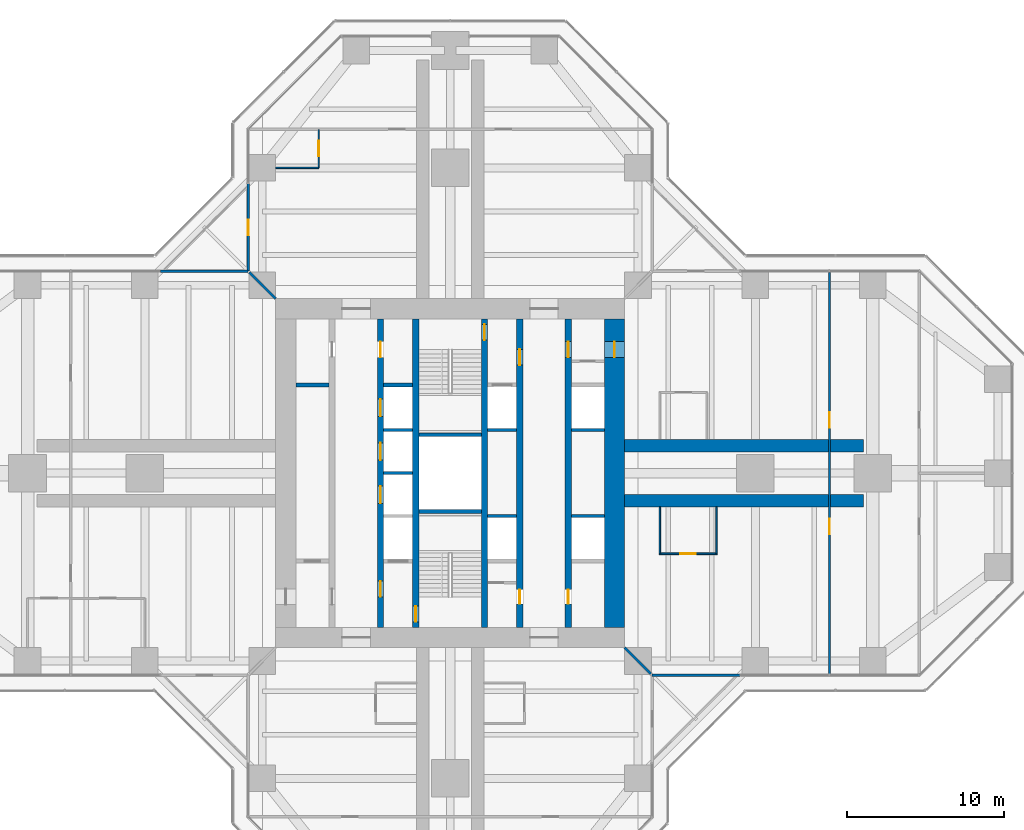
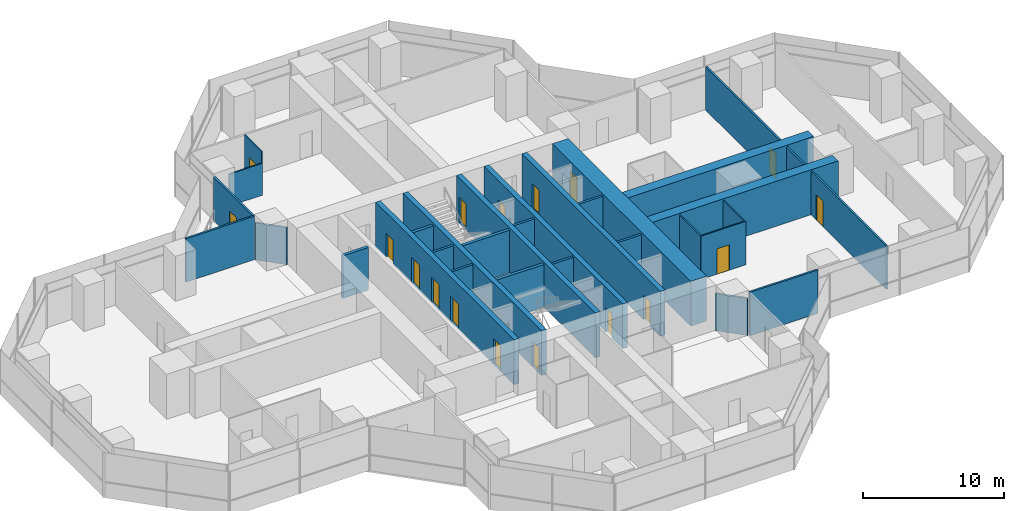
# One storey, part 16 of 19: 29 walls, 17 doors, 17 openings.
"""IFC4 building model written with IfcOpenShell, lengths in metres."""

from ifc_helpers import new_model, si_unit, direction, frame, frame_2d, origin, place, context, subcontext, project, spatial, rectangle, extrude, material, layer, layer_set, type_object, element, fill, save


model = new_model("IFC4")

# Units and contexts
model_context = context("Model", 3, precision=1e-05, world=origin(), true_north=direction((0.0, 1.0)))
body_context = subcontext(model_context, "Body", "Model", "MODEL_VIEW")
ifc_project = project(units=[si_unit("LENGTHUNIT", "METRE"), si_unit("AREAUNIT", "SQUARE_METRE"), si_unit("VOLUMEUNIT", "CUBIC_METRE"), si_unit("PLANEANGLEUNIT", "RADIAN"), si_unit("MASSUNIT", "GRAM", prefix="KILO")], contexts=[model_context])

# Site, building, storey
site_placement = place(None, origin())
site = spatial("IfcSite", under=ifc_project, at=site_placement, CompositionType="ELEMENT")
building_placement = place(site_placement, origin())
building = spatial("IfcBuilding", under=site, at=building_placement, Name="Mizan Broadcast Tower", CompositionType="ELEMENT")
storey_placement = place(building_placement, frame((0.0, 0.0, 182.699951171875)))
storey = spatial("IfcBuildingStorey", under=building, at=storey_placement, Name="L42", CompositionType="ELEMENT", Elevation=182.699951171875)

# Wall, openings, doors
ifc_material_1 = material(Name="Concrete C70/85", Category="concrete")
ifc_layer_1 = layer(ifc_material_1, 0.39990234375)
ifc_layer_set_1 = layer_set([ifc_layer_1], Name="Concrete C70/85")
wall_type_1 = type_object("IfcWallType", Name="CORE INTERNAL WALL 400", PredefinedType="SHEAR", material=ifc_layer_set_1)
wall_1_placement = place(storey_placement, frame((7.550048828125, 9.85009765625, 0.0), z_axis=(0.0, 0.0, 1.0), x_axis=(0.0, -1.0, 0.0)))
wall_1 = element("IfcWall", 1, at=wall_1_placement, inside=storey, type_object=wall_type_1, Name="Core wall CORE/XW1E", PredefinedType="SHEAR", context=body_context, shape_type="SweptSolid", body=[
    extrude(rectangle(XDim=19.7001953125, YDim=0.39990234375, at=frame_2d((9.85009765625, 0.0))), origin(), (0.0, 0.0, 1.0), 3.900146484375),
])
opening_1_placement = place(wall_1_placement, frame((1.449951171875, 0.0, 0.0)))
opening_1 = element("IfcOpeningElement", 2, at=opening_1_placement, cuts=wall_1, Name="Opening D10F", PredefinedType="OPENING", context=body_context, shape_type="SweptSolid", body=[
    extrude(rectangle(XDim=1.0, YDim=2.199951171875, at=frame_2d((0.5, 1.10009765625))), frame((0.0, 0.2099609375, 0.0), z_axis=(0.0, -1.0, 0.0), x_axis=(1.0, 0.0, 0.0)), (0.0, 0.0, 1.0), 0.419921875),
])
opening_2_placement = place(wall_1_placement, frame((17.300048828125, 0.0, 0.0)))
opening_2 = element("IfcOpeningElement", 3, at=opening_2_placement, cuts=wall_1, Name="Opening D09", PredefinedType="OPENING", context=body_context, shape_type="SweptSolid", body=[
    extrude(rectangle(XDim=0.89990234375, YDim=2.10009765625, at=frame_2d((0.449951171875, 1.050048828125))), frame((0.0, 0.2099609375, 0.0), z_axis=(0.0, -1.0, 0.0), x_axis=(1.0, 0.0, 0.0)), (0.0, 0.0, 1.0), 0.419921875),
])
ifc_material_2 = material(Name="Steel door leaf in steel frame", Category="steel")
door_type_1 = type_object("IfcDoorType", Name="FIRE DOOR 1000 FD90", OperationType="SINGLE_SWING_LEFT", PredefinedType="DOOR", material=ifc_material_2)
door_1_placement = place(opening_1_placement, origin())
door_1 = element("IfcDoor", 4, at=door_1_placement, inside=storey, type_object=door_type_1, Name="East core passage door", OperationType="SINGLE_SWING_LEFT", OverallHeight=2.199951171875, OverallWidth=1.0, PredefinedType="DOOR", context=body_context, shape_type="SweptSolid", body=[
    extrude(rectangle(XDim=1.0, YDim=2.199951171875, at=frame_2d((0.5, 1.10009765625))), frame((0.0, 0.02490234375, 0.0), z_axis=(0.0, -1.0, 0.0), x_axis=(1.0, 0.0, 0.0)), (0.0, 0.0, 1.0), 0.050048828125),
])
fill(opening_1, door_1)
ifc_material_3 = material(Name="Timber door leaf in aluminium frame", Category="wood")
door_type_2 = type_object("IfcDoorType", Name="TOILET DOOR 900", OperationType="SINGLE_SWING_LEFT", PredefinedType="DOOR", material=ifc_material_3)
door_2_placement = place(opening_2_placement, origin())
door_2 = element("IfcDoor", 5, at=door_2_placement, inside=storey, type_object=door_type_2, Name="Female WC door", OperationType="SINGLE_SWING_RIGHT", OverallHeight=2.10009765625, OverallWidth=0.89990234375, PredefinedType="DOOR", context=body_context, shape_type="SweptSolid", body=[
    extrude(rectangle(XDim=0.89990234375, YDim=2.10009765625, at=frame_2d((0.449951171875, 1.050048828125))), frame((0.0, 0.02490234375, 0.0), z_axis=(0.0, -1.0, 0.0), x_axis=(1.0, 0.0, 0.0)), (0.0, 0.0, 1.0), 0.050048828125),
])
fill(opening_2, door_2)

wall_2_placement = place(storey_placement, frame((-4.449951171875, -9.85009765625, 0.0), z_axis=(0.0, 0.0, 1.0), x_axis=(0.0, 1.0, 0.0)))
wall_2 = element("IfcWall", 6, at=wall_2_placement, inside=storey, type_object=wall_type_1, Name="Core wall CORE/XWH", PredefinedType="SHEAR", context=body_context, shape_type="SweptSolid", body=[
    extrude(rectangle(XDim=19.7001953125, YDim=0.39990234375, at=frame_2d((9.85009765625, 0.0))), origin(), (0.0, 0.0, 1.0), 3.900146484375),
])
opening_3_placement = place(wall_2_placement, frame((1.949951171875, 0.0, 0.0)))
opening_3 = element("IfcOpeningElement", 7, at=opening_3_placement, cuts=wall_2, Name="Opening D10F", PredefinedType="OPENING", context=body_context, shape_type="SweptSolid", body=[
    extrude(rectangle(XDim=1.0, YDim=2.199951171875, at=frame_2d((0.5, 1.10009765625))), frame((0.0, 0.2099609375, 0.0), z_axis=(0.0, -1.0, 0.0), x_axis=(1.0, 0.0, 0.0)), (0.0, 0.0, 1.0), 0.419921875),
])
opening_4_placement = place(wall_2_placement, frame((17.25, 0.0, 0.0)))
opening_4 = element("IfcOpeningElement", 8, at=opening_4_placement, cuts=wall_2, Name="Opening D10A", PredefinedType="OPENING", context=body_context, shape_type="SweptSolid", body=[
    extrude(rectangle(XDim=1.0, YDim=2.10009765625, at=frame_2d((0.5, 1.050048828125))), frame((0.0, 0.2099609375, 0.0), z_axis=(0.0, -1.0, 0.0), x_axis=(1.0, 0.0, 0.0)), (0.0, 0.0, 1.0), 0.419921875),
])
opening_5_placement = place(wall_2_placement, frame((7.925048828125, 0.0, 0.0)))
opening_5 = element("IfcOpeningElement", 9, at=opening_5_placement, cuts=wall_2, Name="Opening LD", PredefinedType="OPENING", context=body_context, shape_type="SweptSolid", body=[
    extrude(rectangle(XDim=1.10009765625, YDim=2.199951171875, at=frame_2d((0.550048828125, 1.10009765625))), frame((0.0, 0.2099609375, 0.0), z_axis=(0.0, -1.0, 0.0), x_axis=(1.0, 0.0, 0.0)), (0.0, 0.0, 1.0), 0.419921875),
])
opening_6_placement = place(wall_2_placement, frame((10.675048828125, 0.0, 0.0)))
opening_6 = element("IfcOpeningElement", 10, at=opening_6_placement, cuts=wall_2, Name="Opening LD", PredefinedType="OPENING", context=body_context, shape_type="SweptSolid", body=[
    extrude(rectangle(XDim=1.10009765625, YDim=2.199951171875, at=frame_2d((0.550048828125, 1.10009765625))), frame((0.0, 0.2099609375, 0.0), z_axis=(0.0, -1.0, 0.0), x_axis=(1.0, 0.0, 0.0)), (0.0, 0.0, 1.0), 0.419921875),
])
opening_7_placement = place(wall_2_placement, frame((13.47509765625, 0.0, 0.0)))
opening_7 = element("IfcOpeningElement", 11, at=opening_7_placement, cuts=wall_2, Name="Opening LD", PredefinedType="OPENING", context=body_context, shape_type="SweptSolid", body=[
    extrude(rectangle(XDim=1.10009765625, YDim=2.199951171875, at=frame_2d((0.550048828125, 1.10009765625))), frame((0.0, 0.2099609375, 0.0), z_axis=(0.0, -1.0, 0.0), x_axis=(1.0, 0.0, 0.0)), (0.0, 0.0, 1.0), 0.419921875),
])
ifc_material_4 = material(Name="Timber door leaf in aluminium frame", Category="wood")
door_type_3 = type_object("IfcDoorType", Name="ACCESSIBLE WC DOOR 1000", OperationType="SLIDING_TO_LEFT", PredefinedType="DOOR", material=ifc_material_4)
door_3_placement = place(opening_4_placement, origin())
door_3 = element("IfcDoor", 12, at=door_3_placement, inside=storey, type_object=door_type_3, Name="Accessible WC door", OperationType="SLIDING_TO_LEFT", OverallHeight=2.10009765625, OverallWidth=1.0, PredefinedType="DOOR", context=body_context, shape_type="SweptSolid", body=[
    extrude(rectangle(XDim=1.0, YDim=2.10009765625, at=frame_2d((0.5, 1.050048828125))), frame((0.0, 0.02490234375, 0.0), z_axis=(0.0, -1.0, 0.0), x_axis=(1.0, 0.0, 0.0)), (0.0, 0.0, 1.0), 0.050048828125),
])
fill(opening_4, door_3)
door_4_placement = place(opening_3_placement, origin())
door_4 = element("IfcDoor", 13, at=door_4_placement, inside=storey, type_object=door_type_1, Name="Firefighting lobby A door", OperationType="SINGLE_SWING_LEFT", OverallHeight=2.199951171875, OverallWidth=1.0, PredefinedType="DOOR", context=body_context, shape_type="SweptSolid", body=[
    extrude(rectangle(XDim=1.0, YDim=2.199951171875, at=frame_2d((0.5, 1.10009765625))), frame((0.0, 0.02490234375, 0.0), z_axis=(0.0, -1.0, 0.0), x_axis=(1.0, 0.0, 0.0)), (0.0, 0.0, 1.0), 0.050048828125),
])
fill(opening_3, door_4)
ifc_material_5 = material(Name="Steel door leaf in steel frame", Category="steel")
door_type_4 = type_object("IfcDoorType", Name="LIFT LANDING DOOR 1100", OperationType="SLIDING_TO_LEFT", PredefinedType="DOOR", material=ifc_material_5)
door_5_placement = place(opening_5_placement, origin())
door_5 = element("IfcDoor", 14, at=door_5_placement, inside=storey, type_object=door_type_4, Name="Landing door LB1", OperationType="SLIDING_TO_LEFT", OverallHeight=2.199951171875, OverallWidth=1.10009765625, PredefinedType="DOOR", context=body_context, shape_type="SweptSolid", body=[
    extrude(rectangle(XDim=1.10009765625, YDim=2.199951171875, at=frame_2d((0.550048828125, 1.10009765625))), frame((0.0, 0.02490234375, 0.0), z_axis=(0.0, -1.0, 0.0), x_axis=(1.0, 0.0, 0.0)), (0.0, 0.0, 1.0), 0.050048828125),
])
fill(opening_5, door_5)
door_6_placement = place(opening_6_placement, origin())
door_6 = element("IfcDoor", 15, at=door_6_placement, inside=storey, type_object=door_type_4, Name="Landing door LB2", OperationType="SLIDING_TO_LEFT", OverallHeight=2.199951171875, OverallWidth=1.10009765625, PredefinedType="DOOR", context=body_context, shape_type="SweptSolid", body=[
    extrude(rectangle(XDim=1.10009765625, YDim=2.199951171875, at=frame_2d((0.550048828125, 1.10009765625))), frame((0.0, 0.02490234375, 0.0), z_axis=(0.0, -1.0, 0.0), x_axis=(1.0, 0.0, 0.0)), (0.0, 0.0, 1.0), 0.050048828125),
])
fill(opening_6, door_6)
door_7_placement = place(opening_7_placement, origin())
door_7 = element("IfcDoor", 16, at=door_7_placement, inside=storey, type_object=door_type_4, Name="Landing door LB3", OperationType="SLIDING_TO_LEFT", OverallHeight=2.199951171875, OverallWidth=1.10009765625, PredefinedType="DOOR", context=body_context, shape_type="SweptSolid", body=[
    extrude(rectangle(XDim=1.10009765625, YDim=2.199951171875, at=frame_2d((0.550048828125, 1.10009765625))), frame((0.0, 0.02490234375, 0.0), z_axis=(0.0, -1.0, 0.0), x_axis=(1.0, 0.0, 0.0)), (0.0, 0.0, 1.0), 0.050048828125),
])
fill(opening_7, door_7)

wall_3_placement = place(storey_placement, frame((4.449951171875, 9.85009765625, 0.0), z_axis=(0.0, 0.0, 1.0), x_axis=(0.0, -1.0, 0.0)))
wall_3 = element("IfcWall", 17, at=wall_3_placement, inside=storey, type_object=wall_type_1, Name="Core wall CORE/XWHE", PredefinedType="SHEAR", context=body_context, shape_type="SweptSolid", body=[
    extrude(rectangle(XDim=19.7001953125, YDim=0.39990234375, at=frame_2d((9.85009765625, 0.0))), origin(), (0.0, 0.0, 1.0), 3.900146484375),
])
opening_8_placement = place(wall_3_placement, frame((1.949951171875, 0.0, 0.0)))
opening_8 = element("IfcOpeningElement", 18, at=opening_8_placement, cuts=wall_3, Name="Opening D10F", PredefinedType="OPENING", context=body_context, shape_type="SweptSolid", body=[
    extrude(rectangle(XDim=1.0, YDim=2.199951171875, at=frame_2d((0.5, 1.10009765625))), frame((0.0, 0.2099609375, 0.0), z_axis=(0.0, -1.0, 0.0), x_axis=(1.0, 0.0, 0.0)), (0.0, 0.0, 1.0), 0.419921875),
])
opening_9_placement = place(wall_3_placement, frame((17.300048828125, 0.0, 0.0)))
opening_9 = element("IfcOpeningElement", 19, at=opening_9_placement, cuts=wall_3, Name="Opening D09", PredefinedType="OPENING", context=body_context, shape_type="SweptSolid", body=[
    extrude(rectangle(XDim=0.89990234375, YDim=2.10009765625, at=frame_2d((0.449951171875, 1.050048828125))), frame((0.0, 0.2099609375, 0.0), z_axis=(0.0, -1.0, 0.0), x_axis=(1.0, 0.0, 0.0)), (0.0, 0.0, 1.0), 0.419921875),
])
door_8_placement = place(opening_8_placement, origin())
door_8 = element("IfcDoor", 20, at=door_8_placement, inside=storey, type_object=door_type_1, Name="Firefighting lobby B door", OperationType="SINGLE_SWING_LEFT", OverallHeight=2.199951171875, OverallWidth=1.0, PredefinedType="DOOR", context=body_context, shape_type="SweptSolid", body=[
    extrude(rectangle(XDim=1.0, YDim=2.199951171875, at=frame_2d((0.5, 1.10009765625))), frame((0.0, 0.02490234375, 0.0), z_axis=(0.0, -1.0, 0.0), x_axis=(1.0, 0.0, 0.0)), (0.0, 0.0, 1.0), 0.050048828125),
])
fill(opening_8, door_8)
door_9_placement = place(opening_9_placement, origin())
door_9 = element("IfcDoor", 21, at=door_9_placement, inside=storey, type_object=door_type_2, Name="Cleaner's store door", OperationType="SINGLE_SWING_RIGHT", OverallHeight=2.10009765625, OverallWidth=0.89990234375, PredefinedType="DOOR", context=body_context, shape_type="SweptSolid", body=[
    extrude(rectangle(XDim=0.89990234375, YDim=2.10009765625, at=frame_2d((0.449951171875, 1.050048828125))), frame((0.0, 0.02490234375, 0.0), z_axis=(0.0, -1.0, 0.0), x_axis=(1.0, 0.0, 0.0)), (0.0, 0.0, 1.0), 0.050048828125),
])
fill(opening_9, door_9)

# Wall, opening, door
wall_4_placement = place(storey_placement, frame((-2.199951171875, -9.85009765625, 0.0), z_axis=(0.0, 0.0, 1.0), x_axis=(0.0, 1.0, 0.0)))
wall_4 = element("IfcWall", 22, at=wall_4_placement, inside=storey, type_object=wall_type_1, Name="Core wall CORE/XW2", PredefinedType="SHEAR", context=body_context, shape_type="SweptSolid", body=[
    extrude(rectangle(XDim=19.7001953125, YDim=0.39990234375, at=frame_2d((9.85009765625, 0.0))), origin(), (0.0, 0.0, 1.0), 3.900146484375),
])
opening_10_placement = place(wall_4_placement, frame((0.35009765625, 0.0, 0.0)))
opening_10 = element("IfcOpeningElement", 23, at=opening_10_placement, cuts=wall_4, Name="Opening D10S", PredefinedType="OPENING", context=body_context, shape_type="SweptSolid", body=[
    extrude(rectangle(XDim=1.0, YDim=2.199951171875, at=frame_2d((0.5, 1.10009765625))), frame((0.0, 0.2099609375, 0.0), z_axis=(0.0, -1.0, 0.0), x_axis=(1.0, 0.0, 0.0)), (0.0, 0.0, 1.0), 0.419921875),
])
ifc_material_6 = material(Name="Steel door leaf in steel frame", Category="steel")
door_type_5 = type_object("IfcDoorType", Name="STAIR DOOR 1000 FD90S", OperationType="SINGLE_SWING_RIGHT", PredefinedType="DOOR", material=ifc_material_6)
door_10_placement = place(opening_10_placement, origin())
door_10 = element("IfcDoor", 24, at=door_10_placement, inside=storey, type_object=door_type_5, Name="Stair A door", OperationType="SINGLE_SWING_RIGHT", OverallHeight=2.199951171875, OverallWidth=1.0, PredefinedType="DOOR", context=body_context, shape_type="SweptSolid", body=[
    extrude(rectangle(XDim=1.0, YDim=2.199951171875, at=frame_2d((0.5, 1.10009765625))), frame((0.0, 0.02490234375, 0.0), z_axis=(0.0, -1.0, 0.0), x_axis=(1.0, 0.0, 0.0)), (0.0, 0.0, 1.0), 0.050048828125),
])
fill(opening_10, door_10)

wall_5_placement = place(storey_placement, frame((2.199951171875, 9.85009765625, 0.0), z_axis=(0.0, 0.0, 1.0), x_axis=(0.0, -1.0, 0.0)))
wall_5 = element("IfcWall", 25, at=wall_5_placement, inside=storey, type_object=wall_type_1, Name="Core wall CORE/XW2E", PredefinedType="SHEAR", context=body_context, shape_type="SweptSolid", body=[
    extrude(rectangle(XDim=19.7001953125, YDim=0.39990234375, at=frame_2d((9.85009765625, 0.0))), origin(), (0.0, 0.0, 1.0), 3.900146484375),
])
opening_11_placement = place(wall_5_placement, frame((0.35009765625, 0.0, 0.0)))
opening_11 = element("IfcOpeningElement", 26, at=opening_11_placement, cuts=wall_5, Name="Opening D10S", PredefinedType="OPENING", context=body_context, shape_type="SweptSolid", body=[
    extrude(rectangle(XDim=1.0, YDim=2.199951171875, at=frame_2d((0.5, 1.10009765625))), frame((0.0, 0.2099609375, 0.0), z_axis=(0.0, -1.0, 0.0), x_axis=(1.0, 0.0, 0.0)), (0.0, 0.0, 1.0), 0.419921875),
])
door_11_placement = place(opening_11_placement, origin())
door_11 = element("IfcDoor", 27, at=door_11_placement, inside=storey, type_object=door_type_5, Name="Stair B door", OperationType="SINGLE_SWING_RIGHT", OverallHeight=2.199951171875, OverallWidth=1.0, PredefinedType="DOOR", context=body_context, shape_type="SweptSolid", body=[
    extrude(rectangle(XDim=1.0, YDim=2.199951171875, at=frame_2d((0.5, 1.10009765625))), frame((0.0, 0.02490234375, 0.0), z_axis=(0.0, -1.0, 0.0), x_axis=(1.0, 0.0, 0.0)), (0.0, 0.0, 1.0), 0.050048828125),
])
fill(opening_11, door_11)

ifc_material_7 = material(Name="Concrete C70/85", Category="concrete")
ifc_layer_2 = layer(ifc_material_7, 1.300048828125)
ifc_layer_set_2 = layer_set([ifc_layer_2], Name="Concrete C70/85")
wall_type_2 = type_object("IfcWallType", Name="CORE WALL 1300", PredefinedType="SHEAR", material=ifc_layer_set_2)
wall_6_placement = place(storey_placement, frame((10.5, -9.85009765625, 0.0), z_axis=(0.0, 0.0, 1.0), x_axis=(0.0, 1.0, 0.0)))
wall_6 = element("IfcWall", 28, at=wall_6_placement, inside=storey, type_object=wall_type_2, Name="Core wall E L42", PredefinedType="SHEAR", context=body_context, shape_type="SweptSolid", body=[
    extrude(rectangle(XDim=19.7001953125, YDim=1.300048828125, at=frame_2d((9.85009765625, 0.0))), origin(), (0.0, 0.0, 1.0), 3.900146484375),
])
opening_12_placement = place(wall_6_placement, frame((17.25, 0.0, 0.0)))
opening_12 = element("IfcOpeningElement", 29, at=opening_12_placement, cuts=wall_6, Name="Opening D10F", PredefinedType="OPENING", context=body_context, shape_type="SweptSolid", body=[
    extrude(rectangle(XDim=1.0, YDim=2.199951171875, at=frame_2d((0.5, 1.10009765625))), frame((0.0, 0.659912109375, 0.0), z_axis=(0.0, -1.0, 0.0), x_axis=(1.0, 0.0, 0.0)), (0.0, 0.0, 1.0), 1.320068359375),
])
door_12_placement = place(opening_12_placement, origin())
door_12 = element("IfcDoor", 30, at=door_12_placement, inside=storey, type_object=door_type_1, Name="East core passage arm door", OperationType="SINGLE_SWING_RIGHT", OverallHeight=2.199951171875, OverallWidth=1.0, PredefinedType="DOOR", context=body_context, shape_type="SweptSolid", body=[
    extrude(rectangle(XDim=1.0, YDim=2.199951171875, at=frame_2d((0.5, 1.10009765625))), frame((0.0, 0.02490234375, 0.0), z_axis=(0.0, -1.0, 0.0), x_axis=(1.0, 0.0, 0.0)), (0.0, 0.0, 1.0), 0.050048828125),
])
fill(opening_12, door_12)

# Wall
ifc_material_8 = material(Name="Aluminium framed glazed screen", Category="aluminium")
ifc_layer_3 = layer(ifc_material_8, 0.159912109375)
ifc_layer_set_3 = layer_set([ifc_layer_3], Name="Aluminium framed glazed screen")
wall_type_3 = type_object("IfcWallType", Name="GLAZED SCREEN WALL 160", PredefinedType="SOLIDWALL", material=ifc_layer_set_3)
wall_7_placement = place(storey_placement, frame((12.89990234375, -12.89990234375, 0.0), z_axis=(0.0, 0.0, 1.0), x_axis=(1.0, 0.0, 0.0)))
element("IfcWall", 31, at=wall_7_placement, inside=storey, type_object=wall_type_3, Name="Winter garden screen L42 E", PredefinedType="SOLIDWALL", context=body_context, shape_type="SweptSolid", body=[
    extrude(rectangle(XDim=5.60009765625, YDim=0.159912109375, at=frame_2d((2.800048828125, 0.0))), origin(), (0.0, 0.0, 1.0), 3.77001953125),
])

# Wall, opening, door
wall_8_placement = place(storey_placement, frame((-12.89990234375, 18.5, 0.0), z_axis=(0.0, 0.0, 1.0), x_axis=(0.0, -1.0, 0.0)))
wall_8 = element("IfcWall", 32, at=wall_8_placement, inside=storey, type_object=wall_type_3, Name="Winter garden screen L42 N", PredefinedType="SOLIDWALL", context=body_context, shape_type="SweptSolid", body=[
    extrude(rectangle(XDim=5.60009765625, YDim=0.159912109375, at=frame_2d((2.800048828125, 0.0))), origin(), (0.0, 0.0, 1.0), 3.77001953125),
])
opening_13_placement = place(wall_8_placement, frame((2.300048828125, 0.0, 0.0)))
opening_13 = element("IfcOpeningElement", 33, at=opening_13_placement, cuts=wall_8, Name="Opening WGD", PredefinedType="OPENING", context=body_context, shape_type="SweptSolid", body=[
    extrude(rectangle(XDim=1.0, YDim=2.199951171875, at=frame_2d((0.5, 1.10009765625))), frame((0.0, 0.08984375, 0.0), z_axis=(0.0, -1.0, 0.0), x_axis=(1.0, 0.0, 0.0)), (0.0, 0.0, 1.0), 0.179931640625),
])
ifc_material_9 = material(Name="Aluminium framed glazed door", Category="aluminium")
door_type_6 = type_object("IfcDoorType", Name="WINTER GARDEN DOOR 1000 GLAZED", OperationType="SINGLE_SWING_LEFT", PredefinedType="DOOR", material=ifc_material_9)
door_13_placement = place(opening_13_placement, origin())
door_13 = element("IfcDoor", 34, at=door_13_placement, inside=storey, type_object=door_type_6, Name="Winter garden door L42 N", OperationType="SINGLE_SWING_RIGHT", OverallHeight=2.199951171875, OverallWidth=1.0, PredefinedType="DOOR", context=body_context, shape_type="SweptSolid", body=[
    extrude(rectangle(XDim=1.0, YDim=2.199951171875, at=frame_2d((0.5, 1.10009765625))), frame((0.0, 0.02490234375, 0.0), z_axis=(0.0, -1.0, 0.0), x_axis=(1.0, 0.0, 0.0)), (0.0, 0.0, 1.0), 0.050048828125),
])
fill(opening_13, door_13)

# Walls
wall_9_placement = place(storey_placement, frame((-12.89990234375, 12.89990234375, 0.0), z_axis=(0.0, 0.0, 1.0), x_axis=(-1.0, 0.0, 0.0)))
element("IfcWall", 35, at=wall_9_placement, inside=storey, type_object=wall_type_3, Name="Winter garden screen L42 W", PredefinedType="SOLIDWALL", context=body_context, shape_type="SweptSolid", body=[
    extrude(rectangle(XDim=5.60009765625, YDim=0.159912109375, at=frame_2d((2.800048828125, 0.0))), origin(), (0.0, 0.0, 1.0), 3.77001953125),
])
ifc_material_10 = material(Name="Concrete blockwork", Category="masonry")
ifc_layer_4 = layer(ifc_material_10, 0.199951171875)
ifc_layer_set_4 = layer_set([ifc_layer_4], Name="Concrete blockwork")
wall_type_4 = type_object("IfcWallType", Name="LIFT SHAFT WALL 200", PredefinedType="SOLIDWALL", material=ifc_layer_set_4)
wall_10_placement = place(storey_placement, frame((2.39990234375, -2.75, 0.0), z_axis=(0.0, 0.0, 1.0), x_axis=(1.0, 0.0, 0.0)))
element("IfcWall", 36, at=wall_10_placement, inside=storey, type_object=wall_type_4, Name="Lift shaft wall CORE/SE2-1", PredefinedType="SOLIDWALL", context=body_context, shape_type="SweptSolid", body=[
    extrude(rectangle(XDim=1.85009765625, YDim=0.199951171875, at=frame_2d((0.925048828125, 0.0))), origin(), (0.0, 0.0, 1.0), 3.699951171875),
])
wall_11_placement = place(storey_placement, frame((7.75, -2.75, 0.0), z_axis=(0.0, 0.0, 1.0), x_axis=(1.0, 0.0, 0.0)))
element("IfcWall", 37, at=wall_11_placement, inside=storey, type_object=wall_type_4, Name="Lift shaft wall CORE/SE1-1", PredefinedType="SOLIDWALL", context=body_context, shape_type="SweptSolid", body=[
    extrude(rectangle(XDim=2.10009765625, YDim=0.199951171875, at=frame_2d((1.050048828125, 0.0))), origin(), (0.0, 0.0, 1.0), 3.699951171875),
])
for number, where, z_axis, x_axis, name in (
    (38, (-4.25, 0.0, 0.0), (0.0, 0.0, 1.0), (1.0, 0.0, 0.0), "Lift shaft wall CORE/SW2-2"),
    (39, (-4.25, 2.75, 0.0), (0.0, 0.0, 1.0), (1.0, 0.0, 0.0), "Lift shaft wall CORE/SW2-3"),
    (40, (2.39990234375, 2.75, 0.0), (0.0, 0.0, 1.0), (1.0, 0.0, 0.0), "Lift shaft wall CORE/SE2-3"),
):
    element("IfcWall", number, at=place(storey_placement, frame(where, z_axis=z_axis, x_axis=x_axis)), inside=storey, type_object=wall_type_4, Name=name, PredefinedType="SOLIDWALL", context=body_context, shape_type="SweptSolid", body=[
        extrude(rectangle(XDim=1.85009765625, YDim=0.199951171875, at=frame_2d((0.925048828125, 0.0))), origin(), (0.0, 0.0, 1.0), 3.699951171875),
    ])
wall_12_placement = place(storey_placement, frame((7.75, 2.75, 0.0), z_axis=(0.0, 0.0, 1.0), x_axis=(1.0, 0.0, 0.0)))
element("IfcWall", 41, at=wall_12_placement, inside=storey, type_object=wall_type_4, Name="Lift shaft wall CORE/SE1-3", PredefinedType="SOLIDWALL", context=body_context, shape_type="SweptSolid", body=[
    extrude(rectangle(XDim=2.10009765625, YDim=0.199951171875, at=frame_2d((1.050048828125, 0.0))), origin(), (0.0, 0.0, 1.0), 3.699951171875),
])
ifc_material_11 = material(Name="Concrete blockwork", Category="masonry")
ifc_layer_5 = layer(ifc_material_11, 0.25)
ifc_layer_set_5 = layer_set([ifc_layer_5], Name="Concrete blockwork")
wall_type_5 = type_object("IfcWallType", Name="LOBBY ENCLOSURE WALL 250", PredefinedType="SOLIDWALL", material=ifc_layer_set_5)
wall_13_placement = place(storey_placement, frame((-9.85009765625, 5.625, 0.0), z_axis=(0.0, 0.0, 1.0), x_axis=(1.0, 0.0, 0.0)))
element("IfcWall", 42, at=wall_13_placement, inside=storey, type_object=wall_type_5, Name="Lobby enclosure wall CORE/BW1N", PredefinedType="SOLIDWALL", context=body_context, shape_type="SweptSolid", body=[
    extrude(rectangle(XDim=2.10009765625, YDim=0.25, at=frame_2d((1.050048828125, 0.0))), origin(), (0.0, 0.0, 1.0), 3.699951171875),
])
wall_14_placement = place(storey_placement, frame((-4.25, 5.625, 0.0), z_axis=(0.0, 0.0, 1.0), x_axis=(1.0, 0.0, 0.0)))
element("IfcWall", 43, at=wall_14_placement, inside=storey, type_object=wall_type_5, Name="Lobby enclosure wall CORE/BW2N", PredefinedType="SOLIDWALL", context=body_context, shape_type="SweptSolid", body=[
    extrude(rectangle(XDim=1.85009765625, YDim=0.25, at=frame_2d((0.925048828125, 0.0))), origin(), (0.0, 0.0, 1.0), 3.699951171875),
])
for number, where, z_axis, x_axis, name in (
    (44, (-2.0, -2.449951171875, 0.0), (0.0, 0.0, 1.0), (1.0, 0.0, 0.0), "Lobby enclosure wall CORE/STA"),
    (45, (-2.0, 2.449951171875, 0.0), (0.0, 0.0, 1.0), (1.0, 0.0, 0.0), "Lobby enclosure wall CORE/STB"),
):
    element("IfcWall", number, at=place(storey_placement, frame(where, z_axis=z_axis, x_axis=x_axis)), inside=storey, type_object=wall_type_5, Name=name, PredefinedType="SOLIDWALL", context=body_context, shape_type="SweptSolid", body=[
        extrude(rectangle(XDim=4.0, YDim=0.25, at=frame_2d((2.0, 0.0))), origin(), (0.0, 0.0, 1.0), 3.699951171875),
    ])

# Wall, openings, doors
ifc_material_12 = material(Name="Gypsum board on steel studs", Category="steel")
ifc_layer_6 = layer(ifc_material_12, 0.14990234375)
ifc_layer_set_6 = layer_set([ifc_layer_6], Name="Gypsum board on steel studs")
wall_type_6 = type_object("IfcWallType", Name="PARTITION 150", PredefinedType="PARTITIONING", material=ifc_layer_set_6)
wall_15_placement = place(storey_placement, frame((24.22900390625, -12.820068359375, 0.0), z_axis=(0.0, 0.0, 1.0), x_axis=(0.0, 1.0, 0.0)))
wall_15 = element("IfcWall", 46, at=wall_15_placement, inside=storey, type_object=wall_type_6, Name="Partition PT/EX1", PredefinedType="PARTITIONING", context=body_context, shape_type="SweptSolid", body=[
    extrude(rectangle(XDim=25.64013671875, YDim=0.14990234375, at=frame_2d((12.820068359375, 0.0))), origin(), (0.0, 0.0, 1.0), 3.77001953125),
])
opening_14_placement = place(wall_15_placement, frame((15.719970703125, 0.0, 0.0)))
opening_14 = element("IfcOpeningElement", 47, at=opening_14_placement, cuts=wall_15, Name="Opening D10", PredefinedType="OPENING", context=body_context, shape_type="SweptSolid", body=[
    extrude(rectangle(XDim=1.0, YDim=2.199951171875, at=frame_2d((0.5, 1.10009765625))), frame((0.0, 0.0849609375, 0.0), z_axis=(0.0, -1.0, 0.0), x_axis=(1.0, 0.0, 0.0)), (0.0, 0.0, 1.0), 0.169921875),
])
opening_15_placement = place(wall_15_placement, frame((8.919921875, 0.0, 0.0)))
opening_15 = element("IfcOpeningElement", 48, at=opening_15_placement, cuts=wall_15, Name="Opening D10", PredefinedType="OPENING", context=body_context, shape_type="SweptSolid", body=[
    extrude(rectangle(XDim=1.0, YDim=2.199951171875, at=frame_2d((0.5, 1.10009765625))), frame((0.0, 0.0849609375, 0.0), z_axis=(0.0, -1.0, 0.0), x_axis=(1.0, 0.0, 0.0)), (0.0, 0.0, 1.0), 0.169921875),
])
ifc_material_13 = material(Name="Timber door leaf in aluminium frame", Category="wood")
door_type_7 = type_object("IfcDoorType", Name="ROOM DOOR 1000", OperationType="SINGLE_SWING_LEFT", PredefinedType="DOOR", material=ifc_material_13)
door_14_placement = place(opening_14_placement, origin())
door_14 = element("IfcDoor", 49, at=door_14_placement, inside=storey, type_object=door_type_7, Name="Open office door", OperationType="SINGLE_SWING_RIGHT", OverallHeight=2.199951171875, OverallWidth=1.0, PredefinedType="DOOR", context=body_context, shape_type="SweptSolid", body=[
    extrude(rectangle(XDim=1.0, YDim=2.199951171875, at=frame_2d((0.5, 1.10009765625))), frame((0.0, 0.02490234375, 0.0), z_axis=(0.0, -1.0, 0.0), x_axis=(1.0, 0.0, 0.0)), (0.0, 0.0, 1.0), 0.050048828125),
])
fill(opening_14, door_14)
door_15_placement = place(opening_15_placement, origin())
door_15 = element("IfcDoor", 50, at=door_15_placement, inside=storey, type_object=door_type_7, Name="Open office door", OperationType="SINGLE_SWING_LEFT", OverallHeight=2.199951171875, OverallWidth=1.0, PredefinedType="DOOR", context=body_context, shape_type="SweptSolid", body=[
    extrude(rectangle(XDim=1.0, YDim=2.199951171875, at=frame_2d((0.5, 1.10009765625))), frame((0.0, 0.02490234375, 0.0), z_axis=(0.0, -1.0, 0.0), x_axis=(1.0, 0.0, 0.0)), (0.0, 0.0, 1.0), 0.050048828125),
])
fill(opening_15, door_15)

# Walls
for number, where, z_axis, x_axis, name in (
    (51, (-11.14990234375, 11.14990234375, 0.0), (0.0, 0.0, 1.0), (-0.707106781187, 0.707106781187, 0.0), "Partition PT/DGWN"),
    (52, (11.14990234375, -11.14990234375, 0.0), (0.0, 0.0, 1.0), (0.707106781187, -0.707106781187, 0.0), "Partition PT/DGES"),
):
    element("IfcWall", number, at=place(storey_placement, frame(where, z_axis=z_axis, x_axis=x_axis)), inside=storey, type_object=wall_type_6, Name=name, PredefinedType="PARTITIONING", context=body_context, shape_type="SweptSolid", body=[
        extrude(rectangle(XDim=2.362060546875, YDim=0.14990234375, at=frame_2d((1.18115234375, 0.0))), origin(), (0.0, 0.0, 1.0), 3.219970703125),
    ])
ifc_material_14 = material(Name="Glazed aluminium partition on aluminium track", Category="aluminium")
ifc_layer_7 = layer(ifc_material_14, 0.10009765625)
ifc_layer_set_7 = layer_set([ifc_layer_7], Name="Glazed aluminium partition on aluminium track")
wall_type_7 = type_object("IfcWallType", Name="PARTITION GLAZED OFFICE FRONT 100", PredefinedType="PARTITIONING", material=ifc_layer_set_7)
for number, where, z_axis, x_axis, name in (
    (53, (13.39990234375, -2.14990234375, 0.0), (0.0, 0.0, 1.0), (0.0, -1.0, 0.0), "Glazed office front PT/EKN0a"),
    (54, (17.0, -2.14990234375, 0.0), (0.0, 0.0, 1.0), (0.0, -1.0, 0.0), "Glazed office front PT/EKN0b"),
):
    element("IfcWall", number, at=place(storey_placement, frame(where, z_axis=z_axis, x_axis=x_axis)), inside=storey, type_object=wall_type_7, Name=name, PredefinedType="PARTITIONING", context=body_context, shape_type="SweptSolid", body=[
        extrude(rectangle(XDim=3.0, YDim=0.10009765625, at=frame_2d((1.5, 0.0))), origin(), (0.0, 0.0, 1.0), 3.77001953125),
    ])

# Wall, opening, door
wall_16_placement = place(storey_placement, frame((13.35009765625, -5.14990234375, 0.0), z_axis=(0.0, 0.0, 1.0), x_axis=(1.0, 0.0, 0.0)))
wall_16 = element("IfcWall", 55, at=wall_16_placement, inside=storey, type_object=wall_type_7, Name="Glazed office front PT/EKN0f", PredefinedType="PARTITIONING", context=body_context, shape_type="SweptSolid", body=[
    extrude(rectangle(XDim=3.699951171875, YDim=0.10009765625, at=frame_2d((1.85009765625, 0.0))), origin(), (0.0, 0.0, 1.0), 3.77001953125),
])
opening_16_placement = place(wall_16_placement, frame((1.35009765625, 0.0, 0.0)))
opening_16 = element("IfcOpeningElement", 56, at=opening_16_placement, cuts=wall_16, Name="Opening D10O", PredefinedType="OPENING", context=body_context, shape_type="SweptSolid", body=[
    extrude(rectangle(XDim=1.0, YDim=2.199951171875, at=frame_2d((0.5, 1.10009765625))), frame((0.0, 0.06005859375, 0.0), z_axis=(0.0, -1.0, 0.0), x_axis=(1.0, 0.0, 0.0)), (0.0, 0.0, 1.0), 0.1201171875),
])
ifc_material_15 = material(Name="Timber door leaf in aluminium frame", Category="wood")
door_type_8 = type_object("IfcDoorType", Name="OFFICE DOOR 1000 GLAZED", OperationType="SINGLE_SWING_LEFT", PredefinedType="DOOR", material=ifc_material_15)
door_16_placement = place(opening_16_placement, origin())
door_16 = element("IfcDoor", 57, at=door_16_placement, inside=storey, type_object=door_type_8, Name="Model store door", OperationType="SINGLE_SWING_LEFT", OverallHeight=2.199951171875, OverallWidth=1.0, PredefinedType="DOOR", context=body_context, shape_type="SweptSolid", body=[
    extrude(rectangle(XDim=1.0, YDim=2.199951171875, at=frame_2d((0.5, 1.10009765625))), frame((0.0, 0.02490234375, 0.0), z_axis=(0.0, -1.0, 0.0), x_axis=(1.0, 0.0, 0.0)), (0.0, 0.0, 1.0), 0.050048828125),
])
fill(opening_16, door_16)

wall_17_placement = place(storey_placement, frame((-8.39990234375, 19.5, 0.0), z_axis=(0.0, 0.0, 1.0), x_axis=(0.0, 1.0, 0.0)))
wall_17 = element("IfcWall", 58, at=wall_17_placement, inside=storey, type_object=wall_type_7, Name="Glazed office front PT/NCP0", PredefinedType="PARTITIONING", context=body_context, shape_type="SweptSolid", body=[
    extrude(rectangle(XDim=2.458984375, YDim=0.10009765625, at=frame_2d((1.2294921875, 0.0))), origin(), (0.0, 0.0, 1.0), 3.77001953125),
])
opening_17_placement = place(wall_17_placement, frame((0.7294921875, 0.0, 0.0)))
opening_17 = element("IfcOpeningElement", 59, at=opening_17_placement, cuts=wall_17, Name="Opening D10O", PredefinedType="OPENING", context=body_context, shape_type="SweptSolid", body=[
    extrude(rectangle(XDim=1.0, YDim=2.199951171875, at=frame_2d((0.5, 1.10009765625))), frame((0.0, 0.06005859375, 0.0), z_axis=(0.0, -1.0, 0.0), x_axis=(1.0, 0.0, 0.0)), (0.0, 0.0, 1.0), 0.1201171875),
])
door_17_placement = place(opening_17_placement, origin())
door_17 = element("IfcDoor", 60, at=door_17_placement, inside=storey, type_object=door_type_8, Name="Office door", OperationType="SINGLE_SWING_LEFT", OverallHeight=2.199951171875, OverallWidth=1.0, PredefinedType="DOOR", context=body_context, shape_type="SweptSolid", body=[
    extrude(rectangle(XDim=1.0, YDim=2.199951171875, at=frame_2d((0.5, 1.10009765625))), frame((0.0, 0.02490234375, 0.0), z_axis=(0.0, -1.0, 0.0), x_axis=(1.0, 0.0, 0.0)), (0.0, 0.0, 1.0), 0.050048828125),
])
fill(opening_17, door_17)

# Walls
wall_18_placement = place(storey_placement, frame((-8.39990234375, 19.5, 0.0), z_axis=(0.0, 0.0, 1.0), x_axis=(-1.0, 0.0, 0.0)))
element("IfcWall", 61, at=wall_18_placement, inside=storey, type_object=wall_type_7, Name="Glazed office front PT/NQP1950", PredefinedType="PARTITIONING", context=body_context, shape_type="SweptSolid", body=[
    extrude(rectangle(XDim=2.75, YDim=0.10009765625, at=frame_2d((1.375, 0.0))), origin(), (0.0, 0.0, 1.0), 2.77001953125),
])
ifc_material_16 = material(Name="Concrete C70/85", Category="concrete")
ifc_layer_8 = layer(ifc_material_16, 0.800048828125)
ifc_layer_set_8 = layer_set([ifc_layer_8], Name="Concrete C70/85")
wall_type_8 = type_object("IfcWallType", Name="SPINE WALL 800", PredefinedType="SHEAR", material=ifc_layer_set_8)
for number, where, z_axis, x_axis, name in (
    (62, (11.14990234375, -1.75, 0.0), (0.0, 0.0, 1.0), (1.0, 0.0, 0.0), "Spine wall ER L42"),
    (63, (11.14990234375, 1.75, 0.0), (0.0, 0.0, 1.0), (1.0, 0.0, 0.0), "Spine wall EL L42"),
):
    element("IfcWall", number, at=place(storey_placement, frame(where, z_axis=z_axis, x_axis=x_axis)), inside=storey, type_object=wall_type_8, Name=name, PredefinedType="SHEAR", context=body_context, shape_type="SweptSolid", body=[
        extrude(rectangle(XDim=15.25, YDim=0.800048828125, at=frame_2d((7.625, 0.0))), origin(), (0.0, 0.0, 1.0), 3.900146484375),
    ])

save(model, "model.ifc")
